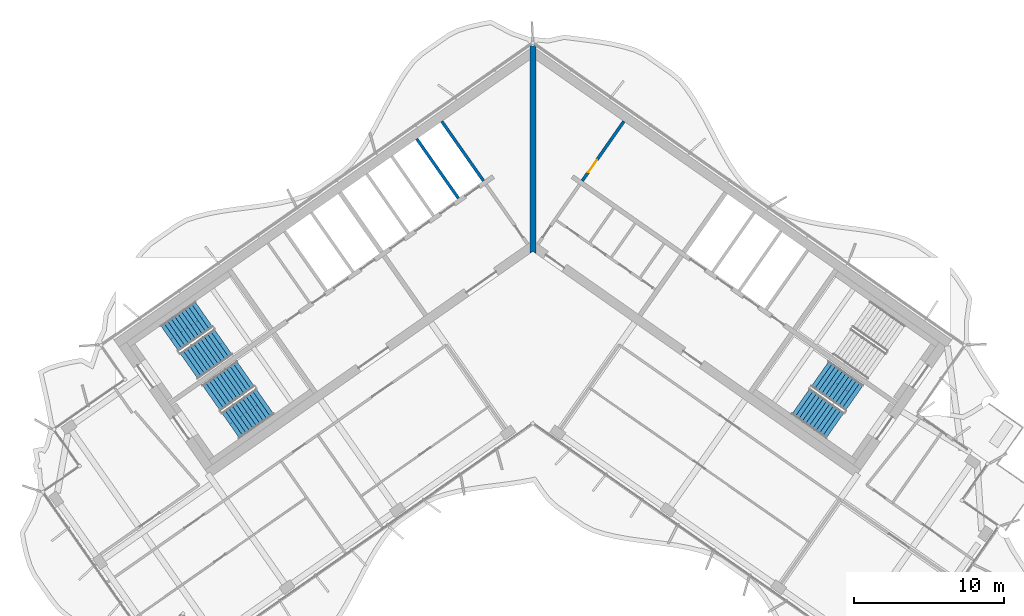
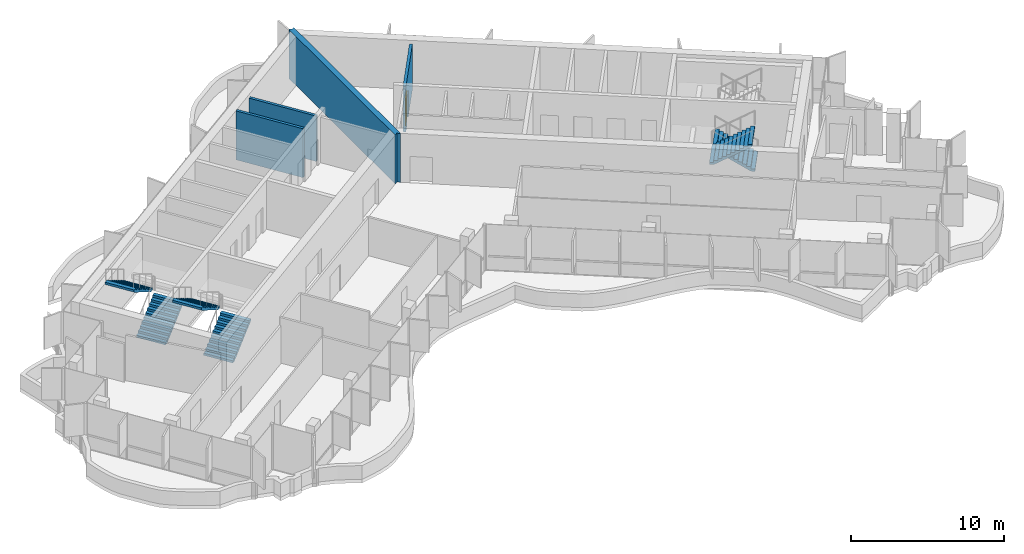
# One storey, part 13 of 20: 6 stair flights, 4 walls, 1 door, 1 opening, 3 elements without a shape of their own.
"""IFC4 building model written with IfcOpenShell, lengths in metres."""

from ifc_helpers import new_model, si_unit, direction, frame, frame_2d, origin, place, context, subcontext, project, spatial, polyline, rectangle, outline, extrude, material, layer, layer_set, type_object, element, fill, aggregate, save


model = new_model("IFC4")

# Units and contexts
model_context = context("Model", 3, precision=1e-05, world=origin(), true_north=direction((0.0, 1.0)))
body_context = subcontext(model_context, "Body", "Model", "MODEL_VIEW")
ifc_project = project(units=[si_unit("LENGTHUNIT", "METRE"), si_unit("AREAUNIT", "SQUARE_METRE"), si_unit("VOLUMEUNIT", "CUBIC_METRE"), si_unit("PLANEANGLEUNIT", "RADIAN"), si_unit("MASSUNIT", "GRAM", prefix="KILO")], contexts=[model_context])

# Site, building, storey
site_placement = place(None, origin())
site = spatial("IfcSite", under=ifc_project, at=site_placement, CompositionType="ELEMENT")
building_placement = place(site_placement, origin())
building = spatial("IfcBuilding", under=site, at=building_placement, Name="Tel Ilan Convention Tower", CompositionType="ELEMENT")
storey_placement = place(building_placement, frame((0.0, 0.0, 248.800048828125)))
storey = spatial("IfcBuildingStorey", under=building, at=storey_placement, Name="L58", CompositionType="ELEMENT", Elevation=248.800048828125)

# Wall
ifc_material_1 = material(Name="Concrete C30/37", Category="concrete")
ifc_layer_1 = layer(ifc_material_1, 0.199951171875)
ifc_layer_set_1 = layer_set([ifc_layer_1], Name="Core Service Room Wall 200 mm C30/37")
wall_type_1 = type_object("IfcWallType", Name="Core Service Room Wall 200 mm C30/37", PredefinedType="SOLIDWALL", material=ifc_layer_set_1)
wall_1_placement = place(storey_placement, frame((-3.2978515625, 3.489501953125, 0.0), z_axis=(0.0, 0.0, 1.0), x_axis=(-0.573560315113, 0.819163332265, 0.0)))
element("IfcWall", 1, at=wall_1_placement, inside=storey, type_object=wall_type_1, Name="L58 core wall apex-W-b", PredefinedType="SOLIDWALL", context=body_context, shape_type="SweptSolid", body=[
    extrude(rectangle(XDim=4.849853515625, YDim=0.199951171875, at=frame_2d((2.4248046875, 0.0))), origin(), (0.0, 0.0, 1.0), 3.619873046875),
])

# Wall, opening, door
wall_2_placement = place(storey_placement, frame((3.2978515625, 3.489501953125, 0.0), z_axis=(0.0, 0.0, 1.0), x_axis=(0.573560315113, 0.819163332265, 0.0)))
wall_2 = element("IfcWall", 2, at=wall_2_placement, inside=storey, type_object=wall_type_1, Name="L58 core wall apex-E-b", PredefinedType="SOLIDWALL", context=body_context, shape_type="SweptSolid", body=[
    extrude(rectangle(XDim=4.849853515625, YDim=0.199951171875, at=frame_2d((2.4248046875, 0.0))), origin(), (0.0, 0.0, 1.0), 3.619873046875),
])
opening_placement = place(wall_2_placement, frame((0.699951171875, 0.0, 0.0)))
opening = element("IfcOpeningElement", 3, at=opening_placement, cuts=wall_2, Name="Opening CD4503", PredefinedType="OPENING", context=body_context, shape_type="SweptSolid", body=[
    extrude(rectangle(XDim=1.0, YDim=2.10009765625, at=frame_2d((0.5, 1.050048828125))), frame((0.0, 0.10986328125, 0.0), z_axis=(0.0, -1.0, 0.0), x_axis=(1.0, 0.0, 0.0)), (0.0, 0.0, 1.0), 0.219970703125),
])
ifc_material_2 = material(Name="Galvanised Steel Door Leaf", Category="steel")
door_type = type_object("IfcDoorType", Name="Service Room Door 1000 x 2100 FD60", OperationType="NOTDEFINED", PredefinedType="DOOR", material=ifc_material_2)
door_placement = place(opening_placement, origin())
door = element("IfcDoor", 4, at=door_placement, inside=storey, type_object=door_type, Name="Plant Room door", OperationType="SINGLE_SWING_RIGHT", OverallHeight=2.10009765625, OverallWidth=1.0, PredefinedType="DOOR", context=body_context, shape_type="SweptSolid", body=[
    extrude(rectangle(XDim=1.0, YDim=2.10009765625, at=frame_2d((0.5, 1.050048828125))), frame((0.0, 0.02490234375, 0.0), z_axis=(0.0, -1.0, 0.0), x_axis=(1.0, 0.0, 0.0)), (0.0, 0.0, 1.0), 0.050048828125),
])
fill(opening, door)

# Walls
ifc_material_3 = material(Name="Concrete C40/50", Category="concrete")
ifc_layer_2 = layer(ifc_material_3, 0.39990234375)
ifc_layer_set_2 = layer_set([ifc_layer_2], Name="Core Shear Wall 400 mm C40/50")
wall_type_2 = type_object("IfcWallType", Name="Core Shear Wall 400 mm C40/50", PredefinedType="SHEAR", material=ifc_layer_set_2)
wall_3_placement = place(storey_placement, frame((0.0, -1.36083984375, 0.0), z_axis=(0.0, 0.0, 1.0), x_axis=(0.0, 1.0, 0.0)))
element("IfcWall", 5, at=wall_3_placement, inside=storey, type_object=wall_type_2, Name="L58 core wall K-central", PredefinedType="SHEAR", context=body_context, shape_type="SweptSolid", body=[
    extrude(outline(polyline([(0.14013671875, 0.199951171875), (0.0, 0.199951171875), (0.14013671875, 0.0), (0.0, -0.199951171875), (0.14013671875, -0.199951171875), (1.012451171875, -0.199951171875), (12.940185546875, -0.199951171875), (13.812744140625, -0.199951171875), (13.893310546875, -0.199951171875), (13.933349609375, -0.172119140625), (13.812744140625, 0.0), (13.933349609375, 0.172119140625), (13.893310546875, 0.199951171875), (13.812744140625, 0.199951171875), (12.940185546875, 0.199951171875), (1.012451171875, 0.199951171875), (0.14013671875, 0.199951171875)])), origin(), (0.0, 0.0, 1.0), 3.89990234375),
])
ifc_material_4 = material(Name="Concrete C30/37", Category="concrete")
ifc_layer_3 = layer(ifc_material_4, 0.199951171875)
ifc_layer_set_3 = layer_set([ifc_layer_3], Name="Lift Shaft Wall 200 mm C30/37")
wall_type_3 = type_object("IfcWallType", Name="Lift Shaft Wall 200 mm C30/37", PredefinedType="SOLIDWALL", material=ifc_layer_set_3)
wall_4_placement = place(storey_placement, frame((-4.966796875, 2.32080078125, 0.0), z_axis=(0.0, 0.0, 1.0), x_axis=(-0.573594092424, 0.81913968109, 0.0)))
element("IfcWall", 6, at=wall_4_placement, inside=storey, type_object=wall_type_3, Name="L58 core wall bank-W1-p0", PredefinedType="SOLIDWALL", context=body_context, shape_type="SweptSolid", body=[
    extrude(rectangle(XDim=4.85009765625, YDim=0.199951171875, at=frame_2d((2.425048828125, 0.0))), origin(), (0.0, 0.0, 1.0), 3.89990234375),
])

# Stair, stair flights
ifc_material_5 = material(Name="Concrete C40/50", Category="concrete")
stair_type = type_object("IfcStairType", Name="Pressurised Exit Stair 22 risers 177 mm", PredefinedType="HALF_TURN_STAIR", material=ifc_material_5)
stair_1_placement = place(storey_placement, origin())
stair_1 = element("IfcStair", 7, at=stair_1_placement, inside=storey, type_object=stair_type, Name="L58 Pressurised Stair S1", PredefinedType="HALF_TURN_STAIR")
ifc_material_6 = material(Name="Precast Concrete C40/50", Category="concrete")
stair_flight_type = type_object("IfcStairFlightType", Name="Concrete Stair Flight 2100 mm 22 risers 177 mm", PredefinedType="STRAIGHT", material=ifc_material_6)
stair_flight_1_placement = place(storey_placement, frame((-22.9619140625, -8.87548828125, 0.0), z_axis=(0.0, 0.0, 1.0), x_axis=(0.819152044289, 0.573576436351, 0.0)))
stair_flight_1 = element("IfcStairFlight", 8, at=stair_flight_1_placement, type_object=stair_flight_type, Name="S1 flight 1", NumberOfRisers=11, NumberOfTreads=10, PredefinedType="STRAIGHT", RiserHeight=0.177272727, TreadLength=0.28, context=body_context, shape_type="SweptSolid", body=[
    extrude(outline(polyline([(0.0, 0.0), (0.0, 0.17724609375), (0.280029296875, 0.17724609375), (0.280029296875, 0.3544921875), (0.56005859375, 0.3544921875), (0.56005859375, 0.53173828125), (0.840087890625, 0.53173828125), (0.840087890625, 0.708984375), (1.1201171875, 0.708984375), (1.1201171875, 0.886474609375), (1.39990234375, 0.886474609375), (1.39990234375, 1.063720703125), (1.679931640625, 1.063720703125), (1.679931640625, 1.240966796875), (1.9599609375, 1.240966796875), (1.9599609375, 1.418212890625), (2.239990234375, 1.418212890625), (2.239990234375, 1.595458984375), (2.52001953125, 1.595458984375), (2.52001953125, 1.772705078125), (2.800048828125, 1.772705078125), (2.800048828125, 1.949951171875), (2.800048828125, 1.59521484375), (0.2802734375, 0.0), (0.0, 0.0)])), frame((0.0, -0.100341796875, 0.0), z_axis=(0.0, -1.0, 0.0), x_axis=(1.0, 0.0, 0.0)), (0.0, 0.0, 1.0), 0.94970703125),
    extrude(outline(polyline([(0.0, 0.0), (0.0, 0.17724609375), (0.280029296875, 0.17724609375), (0.280029296875, 0.3544921875), (0.56005859375, 0.3544921875), (0.56005859375, 0.53173828125), (0.840087890625, 0.53173828125), (0.840087890625, 0.708984375), (1.1201171875, 0.708984375), (1.1201171875, 0.886474609375), (1.39990234375, 0.886474609375), (1.39990234375, 1.063720703125), (1.679931640625, 1.063720703125), (1.679931640625, 1.240966796875), (1.9599609375, 1.240966796875), (1.9599609375, 1.418212890625), (2.239990234375, 1.418212890625), (2.239990234375, 1.595458984375), (2.52001953125, 1.595458984375), (2.52001953125, 1.772705078125), (2.800048828125, 1.772705078125), (2.800048828125, 1.949951171875), (2.800048828125, 1.59521484375), (0.2802734375, 0.0), (0.0, 0.0)])), frame((0.0, -0.000244140625, 0.0), z_axis=(0.0, -1.0, 0.0), x_axis=(1.0, 0.0, 0.0)), (0.0, 0.0, 1.0), 0.099609375),
    extrude(outline(polyline([(0.0, 0.0), (0.0, 0.17724609375), (0.280029296875, 0.17724609375), (0.280029296875, 0.3544921875), (0.56005859375, 0.3544921875), (0.56005859375, 0.53173828125), (0.840087890625, 0.53173828125), (0.840087890625, 0.708984375), (1.1201171875, 0.708984375), (1.1201171875, 0.886474609375), (1.39990234375, 0.886474609375), (1.39990234375, 1.063720703125), (1.679931640625, 1.063720703125), (1.679931640625, 1.240966796875), (1.9599609375, 1.240966796875), (1.9599609375, 1.418212890625), (2.239990234375, 1.418212890625), (2.239990234375, 1.595458984375), (2.52001953125, 1.595458984375), (2.52001953125, 1.772705078125), (2.800048828125, 1.772705078125), (2.800048828125, 1.949951171875), (2.800048828125, 1.59521484375), (0.2802734375, 0.0), (0.0, 0.0)])), frame((0.0, 0.099853515625, 0.0), z_axis=(0.0, -1.0, 0.0), x_axis=(1.0, 0.0, 0.0)), (0.0, 0.0, 1.0), 0.099609375),
    extrude(outline(polyline([(0.0, 0.0), (0.0, 0.17724609375), (0.280029296875, 0.17724609375), (0.280029296875, 0.3544921875), (0.56005859375, 0.3544921875), (0.56005859375, 0.53173828125), (0.840087890625, 0.53173828125), (0.840087890625, 0.708984375), (1.1201171875, 0.708984375), (1.1201171875, 0.886474609375), (1.39990234375, 0.886474609375), (1.39990234375, 1.063720703125), (1.679931640625, 1.063720703125), (1.679931640625, 1.240966796875), (1.9599609375, 1.240966796875), (1.9599609375, 1.418212890625), (2.239990234375, 1.418212890625), (2.239990234375, 1.595458984375), (2.52001953125, 1.595458984375), (2.52001953125, 1.772705078125), (2.800048828125, 1.772705078125), (2.800048828125, 1.949951171875), (2.800048828125, 1.59521484375), (0.2802734375, 0.0), (0.0, 0.0)])), frame((0.0, 1.050048828125, 0.0), z_axis=(0.0, -1.0, 0.0), x_axis=(1.0, 0.0, 0.0)), (0.0, 0.0, 1.0), 0.94970703125),
])
stair_flight_2_placement = place(storey_placement, frame((-21.958740234375, -5.42626953125, 1.949951171875), z_axis=(0.0, 0.0, 1.0), x_axis=(-0.819152044289, -0.573576436351, 0.0)))
stair_flight_2 = element("IfcStairFlight", 9, at=stair_flight_2_placement, type_object=stair_flight_type, Name="S1 flight 2", NumberOfRisers=11, NumberOfTreads=10, PredefinedType="STRAIGHT", RiserHeight=0.177272727, TreadLength=0.28, context=body_context, shape_type="SweptSolid", body=[
    extrude(outline(polyline([(0.0, 0.0), (0.0, 0.17724609375), (0.280029296875, 0.17724609375), (0.280029296875, 0.3544921875), (0.56005859375, 0.3544921875), (0.56005859375, 0.53173828125), (0.840087890625, 0.53173828125), (0.840087890625, 0.708984375), (1.1201171875, 0.708984375), (1.1201171875, 0.886474609375), (1.39990234375, 0.886474609375), (1.39990234375, 1.063720703125), (1.679931640625, 1.063720703125), (1.679931640625, 1.240966796875), (1.9599609375, 1.240966796875), (1.9599609375, 1.418212890625), (2.239990234375, 1.418212890625), (2.239990234375, 1.595458984375), (2.52001953125, 1.595458984375), (2.52001953125, 1.772705078125), (2.800048828125, 1.772705078125), (2.800048828125, 1.949951171875), (2.800048828125, 1.59521484375), (0.2802734375, 0.0), (0.0, 0.0)])), frame((0.0, -0.100341796875, 0.0), z_axis=(0.0, -1.0, 0.0), x_axis=(1.0, 0.0, 0.0)), (0.0, 0.0, 1.0), 0.94970703125),
    extrude(outline(polyline([(0.0, 0.0), (0.0, 0.17724609375), (0.280029296875, 0.17724609375), (0.280029296875, 0.3544921875), (0.56005859375, 0.3544921875), (0.56005859375, 0.53173828125), (0.840087890625, 0.53173828125), (0.840087890625, 0.708984375), (1.1201171875, 0.708984375), (1.1201171875, 0.886474609375), (1.39990234375, 0.886474609375), (1.39990234375, 1.063720703125), (1.679931640625, 1.063720703125), (1.679931640625, 1.240966796875), (1.9599609375, 1.240966796875), (1.9599609375, 1.418212890625), (2.239990234375, 1.418212890625), (2.239990234375, 1.595458984375), (2.52001953125, 1.595458984375), (2.52001953125, 1.772705078125), (2.800048828125, 1.772705078125), (2.800048828125, 1.949951171875), (2.800048828125, 1.59521484375), (0.2802734375, 0.0), (0.0, 0.0)])), frame((0.0, -0.000244140625, 0.0), z_axis=(0.0, -1.0, 0.0), x_axis=(1.0, 0.0, 0.0)), (0.0, 0.0, 1.0), 0.099609375),
    extrude(outline(polyline([(0.0, 0.0), (0.0, 0.17724609375), (0.280029296875, 0.17724609375), (0.280029296875, 0.3544921875), (0.56005859375, 0.3544921875), (0.56005859375, 0.53173828125), (0.840087890625, 0.53173828125), (0.840087890625, 0.708984375), (1.1201171875, 0.708984375), (1.1201171875, 0.886474609375), (1.39990234375, 0.886474609375), (1.39990234375, 1.063720703125), (1.679931640625, 1.063720703125), (1.679931640625, 1.240966796875), (1.9599609375, 1.240966796875), (1.9599609375, 1.418212890625), (2.239990234375, 1.418212890625), (2.239990234375, 1.595458984375), (2.52001953125, 1.595458984375), (2.52001953125, 1.772705078125), (2.800048828125, 1.772705078125), (2.800048828125, 1.949951171875), (2.800048828125, 1.59521484375), (0.2802734375, 0.0), (0.0, 0.0)])), frame((0.0, 0.099853515625, 0.0), z_axis=(0.0, -1.0, 0.0), x_axis=(1.0, 0.0, 0.0)), (0.0, 0.0, 1.0), 0.099609375),
    extrude(outline(polyline([(0.0, 0.0), (0.0, 0.17724609375), (0.280029296875, 0.17724609375), (0.280029296875, 0.3544921875), (0.56005859375, 0.3544921875), (0.56005859375, 0.53173828125), (0.840087890625, 0.53173828125), (0.840087890625, 0.708984375), (1.1201171875, 0.708984375), (1.1201171875, 0.886474609375), (1.39990234375, 0.886474609375), (1.39990234375, 1.063720703125), (1.679931640625, 1.063720703125), (1.679931640625, 1.240966796875), (1.9599609375, 1.240966796875), (1.9599609375, 1.418212890625), (2.239990234375, 1.418212890625), (2.239990234375, 1.595458984375), (2.52001953125, 1.595458984375), (2.52001953125, 1.772705078125), (2.800048828125, 1.772705078125), (2.800048828125, 1.949951171875), (2.800048828125, 1.59521484375), (0.2802734375, 0.0), (0.0, 0.0)])), frame((0.0, 1.050048828125, 0.0), z_axis=(0.0, -1.0, 0.0), x_axis=(1.0, 0.0, 0.0)), (0.0, 0.0, 1.0), 0.94970703125),
])
aggregate(stair_1, [stair_flight_1, stair_flight_2])

stair_2_placement = place(storey_placement, origin())
stair_2 = element("IfcStair", 10, at=stair_2_placement, inside=storey, type_object=stair_type, Name="L58 Pressurised Stair S2", PredefinedType="HALF_TURN_STAIR")
stair_flight_3_placement = place(storey_placement, frame((-20.179931640625, -12.848388671875, 0.0), z_axis=(0.0, 0.0, 1.0), x_axis=(0.819152044289, 0.573576436351, 0.0)))
stair_flight_3 = element("IfcStairFlight", 11, at=stair_flight_3_placement, type_object=stair_flight_type, Name="S2 flight 1", NumberOfRisers=11, NumberOfTreads=10, PredefinedType="STRAIGHT", RiserHeight=0.177272727, TreadLength=0.28, context=body_context, shape_type="SweptSolid", body=[
    extrude(outline(polyline([(0.0, 0.0), (0.0, 0.17724609375), (0.280029296875, 0.17724609375), (0.280029296875, 0.3544921875), (0.56005859375, 0.3544921875), (0.56005859375, 0.53173828125), (0.840087890625, 0.53173828125), (0.840087890625, 0.708984375), (1.1201171875, 0.708984375), (1.1201171875, 0.886474609375), (1.39990234375, 0.886474609375), (1.39990234375, 1.063720703125), (1.679931640625, 1.063720703125), (1.679931640625, 1.240966796875), (1.9599609375, 1.240966796875), (1.9599609375, 1.418212890625), (2.239990234375, 1.418212890625), (2.239990234375, 1.595458984375), (2.52001953125, 1.595458984375), (2.52001953125, 1.772705078125), (2.800048828125, 1.772705078125), (2.800048828125, 1.949951171875), (2.800048828125, 1.59521484375), (0.2802734375, 0.0), (0.0, 0.0)])), frame((0.0, -0.100341796875, 0.0), z_axis=(0.0, -1.0, 0.0), x_axis=(1.0, 0.0, 0.0)), (0.0, 0.0, 1.0), 0.94970703125),
    extrude(outline(polyline([(0.0, 0.0), (0.0, 0.17724609375), (0.280029296875, 0.17724609375), (0.280029296875, 0.3544921875), (0.56005859375, 0.3544921875), (0.56005859375, 0.53173828125), (0.840087890625, 0.53173828125), (0.840087890625, 0.708984375), (1.1201171875, 0.708984375), (1.1201171875, 0.886474609375), (1.39990234375, 0.886474609375), (1.39990234375, 1.063720703125), (1.679931640625, 1.063720703125), (1.679931640625, 1.240966796875), (1.9599609375, 1.240966796875), (1.9599609375, 1.418212890625), (2.239990234375, 1.418212890625), (2.239990234375, 1.595458984375), (2.52001953125, 1.595458984375), (2.52001953125, 1.772705078125), (2.800048828125, 1.772705078125), (2.800048828125, 1.949951171875), (2.800048828125, 1.59521484375), (0.2802734375, 0.0), (0.0, 0.0)])), frame((0.0, -0.000244140625, 0.0), z_axis=(0.0, -1.0, 0.0), x_axis=(1.0, 0.0, 0.0)), (0.0, 0.0, 1.0), 0.099609375),
    extrude(outline(polyline([(0.0, 0.0), (0.0, 0.17724609375), (0.280029296875, 0.17724609375), (0.280029296875, 0.3544921875), (0.56005859375, 0.3544921875), (0.56005859375, 0.53173828125), (0.840087890625, 0.53173828125), (0.840087890625, 0.708984375), (1.1201171875, 0.708984375), (1.1201171875, 0.886474609375), (1.39990234375, 0.886474609375), (1.39990234375, 1.063720703125), (1.679931640625, 1.063720703125), (1.679931640625, 1.240966796875), (1.9599609375, 1.240966796875), (1.9599609375, 1.418212890625), (2.239990234375, 1.418212890625), (2.239990234375, 1.595458984375), (2.52001953125, 1.595458984375), (2.52001953125, 1.772705078125), (2.800048828125, 1.772705078125), (2.800048828125, 1.949951171875), (2.800048828125, 1.59521484375), (0.2802734375, 0.0), (0.0, 0.0)])), frame((0.0, 0.099853515625, 0.0), z_axis=(0.0, -1.0, 0.0), x_axis=(1.0, 0.0, 0.0)), (0.0, 0.0, 1.0), 0.099609375),
    extrude(outline(polyline([(0.0, 0.0), (0.0, 0.17724609375), (0.280029296875, 0.17724609375), (0.280029296875, 0.3544921875), (0.56005859375, 0.3544921875), (0.56005859375, 0.53173828125), (0.840087890625, 0.53173828125), (0.840087890625, 0.708984375), (1.1201171875, 0.708984375), (1.1201171875, 0.886474609375), (1.39990234375, 0.886474609375), (1.39990234375, 1.063720703125), (1.679931640625, 1.063720703125), (1.679931640625, 1.240966796875), (1.9599609375, 1.240966796875), (1.9599609375, 1.418212890625), (2.239990234375, 1.418212890625), (2.239990234375, 1.595458984375), (2.52001953125, 1.595458984375), (2.52001953125, 1.772705078125), (2.800048828125, 1.772705078125), (2.800048828125, 1.949951171875), (2.800048828125, 1.59521484375), (0.2802734375, 0.0), (0.0, 0.0)])), frame((0.0, 1.050048828125, 0.0), z_axis=(0.0, -1.0, 0.0), x_axis=(1.0, 0.0, 0.0)), (0.0, 0.0, 1.0), 0.94970703125),
])
stair_flight_4_placement = place(storey_placement, frame((-19.177001953125, -9.399169921875, 1.949951171875), z_axis=(0.0, 0.0, 1.0), x_axis=(-0.819152044289, -0.573576436351, 0.0)))
stair_flight_4 = element("IfcStairFlight", 12, at=stair_flight_4_placement, type_object=stair_flight_type, Name="S2 flight 2", NumberOfRisers=11, NumberOfTreads=10, PredefinedType="STRAIGHT", RiserHeight=0.177272727, TreadLength=0.28, context=body_context, shape_type="SweptSolid", body=[
    extrude(outline(polyline([(0.0, 0.0), (0.0, 0.17724609375), (0.280029296875, 0.17724609375), (0.280029296875, 0.3544921875), (0.56005859375, 0.3544921875), (0.56005859375, 0.53173828125), (0.840087890625, 0.53173828125), (0.840087890625, 0.708984375), (1.1201171875, 0.708984375), (1.1201171875, 0.886474609375), (1.39990234375, 0.886474609375), (1.39990234375, 1.063720703125), (1.679931640625, 1.063720703125), (1.679931640625, 1.240966796875), (1.9599609375, 1.240966796875), (1.9599609375, 1.418212890625), (2.239990234375, 1.418212890625), (2.239990234375, 1.595458984375), (2.52001953125, 1.595458984375), (2.52001953125, 1.772705078125), (2.800048828125, 1.772705078125), (2.800048828125, 1.949951171875), (2.800048828125, 1.59521484375), (0.2802734375, 0.0), (0.0, 0.0)])), frame((0.0, -0.100341796875, 0.0), z_axis=(0.0, -1.0, 0.0), x_axis=(1.0, 0.0, 0.0)), (0.0, 0.0, 1.0), 0.94970703125),
    extrude(outline(polyline([(0.0, 0.0), (0.0, 0.17724609375), (0.280029296875, 0.17724609375), (0.280029296875, 0.3544921875), (0.56005859375, 0.3544921875), (0.56005859375, 0.53173828125), (0.840087890625, 0.53173828125), (0.840087890625, 0.708984375), (1.1201171875, 0.708984375), (1.1201171875, 0.886474609375), (1.39990234375, 0.886474609375), (1.39990234375, 1.063720703125), (1.679931640625, 1.063720703125), (1.679931640625, 1.240966796875), (1.9599609375, 1.240966796875), (1.9599609375, 1.418212890625), (2.239990234375, 1.418212890625), (2.239990234375, 1.595458984375), (2.52001953125, 1.595458984375), (2.52001953125, 1.772705078125), (2.800048828125, 1.772705078125), (2.800048828125, 1.949951171875), (2.800048828125, 1.59521484375), (0.2802734375, 0.0), (0.0, 0.0)])), frame((0.0, -0.000244140625, 0.0), z_axis=(0.0, -1.0, 0.0), x_axis=(1.0, 0.0, 0.0)), (0.0, 0.0, 1.0), 0.099609375),
    extrude(outline(polyline([(0.0, 0.0), (0.0, 0.17724609375), (0.280029296875, 0.17724609375), (0.280029296875, 0.3544921875), (0.56005859375, 0.3544921875), (0.56005859375, 0.53173828125), (0.840087890625, 0.53173828125), (0.840087890625, 0.708984375), (1.1201171875, 0.708984375), (1.1201171875, 0.886474609375), (1.39990234375, 0.886474609375), (1.39990234375, 1.063720703125), (1.679931640625, 1.063720703125), (1.679931640625, 1.240966796875), (1.9599609375, 1.240966796875), (1.9599609375, 1.418212890625), (2.239990234375, 1.418212890625), (2.239990234375, 1.595458984375), (2.52001953125, 1.595458984375), (2.52001953125, 1.772705078125), (2.800048828125, 1.772705078125), (2.800048828125, 1.949951171875), (2.800048828125, 1.59521484375), (0.2802734375, 0.0), (0.0, 0.0)])), frame((0.0, 0.099853515625, 0.0), z_axis=(0.0, -1.0, 0.0), x_axis=(1.0, 0.0, 0.0)), (0.0, 0.0, 1.0), 0.099609375),
    extrude(outline(polyline([(0.0, 0.0), (0.0, 0.17724609375), (0.280029296875, 0.17724609375), (0.280029296875, 0.3544921875), (0.56005859375, 0.3544921875), (0.56005859375, 0.53173828125), (0.840087890625, 0.53173828125), (0.840087890625, 0.708984375), (1.1201171875, 0.708984375), (1.1201171875, 0.886474609375), (1.39990234375, 0.886474609375), (1.39990234375, 1.063720703125), (1.679931640625, 1.063720703125), (1.679931640625, 1.240966796875), (1.9599609375, 1.240966796875), (1.9599609375, 1.418212890625), (2.239990234375, 1.418212890625), (2.239990234375, 1.595458984375), (2.52001953125, 1.595458984375), (2.52001953125, 1.772705078125), (2.800048828125, 1.772705078125), (2.800048828125, 1.949951171875), (2.800048828125, 1.59521484375), (0.2802734375, 0.0), (0.0, 0.0)])), frame((0.0, 1.050048828125, 0.0), z_axis=(0.0, -1.0, 0.0), x_axis=(1.0, 0.0, 0.0)), (0.0, 0.0, 1.0), 0.94970703125),
])
aggregate(stair_2, [stair_flight_3, stair_flight_4])

stair_3_placement = place(storey_placement, origin())
stair_3 = element("IfcStair", 13, at=stair_3_placement, inside=storey, type_object=stair_type, Name="L58 Pressurised Stair S4", PredefinedType="HALF_TURN_STAIR")
stair_flight_5_placement = place(storey_placement, frame((21.470458984375, -11.00537109375, 0.0), z_axis=(0.0, 0.0, 1.0), x_axis=(-0.819152044289, 0.573576436351, 0.0)))
stair_flight_5 = element("IfcStairFlight", 14, at=stair_flight_5_placement, type_object=stair_flight_type, Name="S4 flight 1", NumberOfRisers=11, NumberOfTreads=10, PredefinedType="STRAIGHT", RiserHeight=0.177272727, TreadLength=0.28, context=body_context, shape_type="SweptSolid", body=[
    extrude(outline(polyline([(0.0, 0.0), (0.0, 0.17724609375), (0.280029296875, 0.17724609375), (0.280029296875, 0.3544921875), (0.56005859375, 0.3544921875), (0.56005859375, 0.53173828125), (0.840087890625, 0.53173828125), (0.840087890625, 0.708984375), (1.1201171875, 0.708984375), (1.1201171875, 0.886474609375), (1.39990234375, 0.886474609375), (1.39990234375, 1.063720703125), (1.679931640625, 1.063720703125), (1.679931640625, 1.240966796875), (1.9599609375, 1.240966796875), (1.9599609375, 1.418212890625), (2.239990234375, 1.418212890625), (2.239990234375, 1.595458984375), (2.52001953125, 1.595458984375), (2.52001953125, 1.772705078125), (2.800048828125, 1.772705078125), (2.800048828125, 1.949951171875), (2.800048828125, 1.59521484375), (0.2802734375, 0.0), (0.0, 0.0)])), frame((0.0, -0.100341796875, 0.0), z_axis=(0.0, -1.0, 0.0), x_axis=(1.0, 0.0, 0.0)), (0.0, 0.0, 1.0), 0.94970703125),
    extrude(outline(polyline([(0.0, 0.0), (0.0, 0.17724609375), (0.280029296875, 0.17724609375), (0.280029296875, 0.3544921875), (0.56005859375, 0.3544921875), (0.56005859375, 0.53173828125), (0.840087890625, 0.53173828125), (0.840087890625, 0.708984375), (1.1201171875, 0.708984375), (1.1201171875, 0.886474609375), (1.39990234375, 0.886474609375), (1.39990234375, 1.063720703125), (1.679931640625, 1.063720703125), (1.679931640625, 1.240966796875), (1.9599609375, 1.240966796875), (1.9599609375, 1.418212890625), (2.239990234375, 1.418212890625), (2.239990234375, 1.595458984375), (2.52001953125, 1.595458984375), (2.52001953125, 1.772705078125), (2.800048828125, 1.772705078125), (2.800048828125, 1.949951171875), (2.800048828125, 1.59521484375), (0.2802734375, 0.0), (0.0, 0.0)])), frame((0.0, -0.000244140625, 0.0), z_axis=(0.0, -1.0, 0.0), x_axis=(1.0, 0.0, 0.0)), (0.0, 0.0, 1.0), 0.099609375),
    extrude(outline(polyline([(0.0, 0.0), (0.0, 0.17724609375), (0.280029296875, 0.17724609375), (0.280029296875, 0.3544921875), (0.56005859375, 0.3544921875), (0.56005859375, 0.53173828125), (0.840087890625, 0.53173828125), (0.840087890625, 0.708984375), (1.1201171875, 0.708984375), (1.1201171875, 0.886474609375), (1.39990234375, 0.886474609375), (1.39990234375, 1.063720703125), (1.679931640625, 1.063720703125), (1.679931640625, 1.240966796875), (1.9599609375, 1.240966796875), (1.9599609375, 1.418212890625), (2.239990234375, 1.418212890625), (2.239990234375, 1.595458984375), (2.52001953125, 1.595458984375), (2.52001953125, 1.772705078125), (2.800048828125, 1.772705078125), (2.800048828125, 1.949951171875), (2.800048828125, 1.59521484375), (0.2802734375, 0.0), (0.0, 0.0)])), frame((0.0, 0.099853515625, 0.0), z_axis=(0.0, -1.0, 0.0), x_axis=(1.0, 0.0, 0.0)), (0.0, 0.0, 1.0), 0.099609375),
    extrude(outline(polyline([(0.0, 0.0), (0.0, 0.17724609375), (0.280029296875, 0.17724609375), (0.280029296875, 0.3544921875), (0.56005859375, 0.3544921875), (0.56005859375, 0.53173828125), (0.840087890625, 0.53173828125), (0.840087890625, 0.708984375), (1.1201171875, 0.708984375), (1.1201171875, 0.886474609375), (1.39990234375, 0.886474609375), (1.39990234375, 1.063720703125), (1.679931640625, 1.063720703125), (1.679931640625, 1.240966796875), (1.9599609375, 1.240966796875), (1.9599609375, 1.418212890625), (2.239990234375, 1.418212890625), (2.239990234375, 1.595458984375), (2.52001953125, 1.595458984375), (2.52001953125, 1.772705078125), (2.800048828125, 1.772705078125), (2.800048828125, 1.949951171875), (2.800048828125, 1.59521484375), (0.2802734375, 0.0), (0.0, 0.0)])), frame((0.0, 1.050048828125, 0.0), z_axis=(0.0, -1.0, 0.0), x_axis=(1.0, 0.0, 0.0)), (0.0, 0.0, 1.0), 0.94970703125),
])
stair_flight_6_placement = place(storey_placement, frame((17.886474609375, -11.242431640625, 1.949951171875), z_axis=(0.0, 0.0, 1.0), x_axis=(0.819152044289, -0.573576436351, 0.0)))
stair_flight_6 = element("IfcStairFlight", 15, at=stair_flight_6_placement, type_object=stair_flight_type, Name="S4 flight 2", NumberOfRisers=11, NumberOfTreads=10, PredefinedType="STRAIGHT", RiserHeight=0.177272727, TreadLength=0.28, context=body_context, shape_type="SweptSolid", body=[
    extrude(outline(polyline([(0.0, 0.0), (0.0, 0.17724609375), (0.280029296875, 0.17724609375), (0.280029296875, 0.3544921875), (0.56005859375, 0.3544921875), (0.56005859375, 0.53173828125), (0.840087890625, 0.53173828125), (0.840087890625, 0.708984375), (1.1201171875, 0.708984375), (1.1201171875, 0.886474609375), (1.39990234375, 0.886474609375), (1.39990234375, 1.063720703125), (1.679931640625, 1.063720703125), (1.679931640625, 1.240966796875), (1.9599609375, 1.240966796875), (1.9599609375, 1.418212890625), (2.239990234375, 1.418212890625), (2.239990234375, 1.595458984375), (2.52001953125, 1.595458984375), (2.52001953125, 1.772705078125), (2.800048828125, 1.772705078125), (2.800048828125, 1.949951171875), (2.800048828125, 1.59521484375), (0.2802734375, 0.0), (0.0, 0.0)])), frame((0.0, -0.100341796875, 0.0), z_axis=(0.0, -1.0, 0.0), x_axis=(1.0, 0.0, 0.0)), (0.0, 0.0, 1.0), 0.94970703125),
    extrude(outline(polyline([(0.0, 0.0), (0.0, 0.17724609375), (0.280029296875, 0.17724609375), (0.280029296875, 0.3544921875), (0.56005859375, 0.3544921875), (0.56005859375, 0.53173828125), (0.840087890625, 0.53173828125), (0.840087890625, 0.708984375), (1.1201171875, 0.708984375), (1.1201171875, 0.886474609375), (1.39990234375, 0.886474609375), (1.39990234375, 1.063720703125), (1.679931640625, 1.063720703125), (1.679931640625, 1.240966796875), (1.9599609375, 1.240966796875), (1.9599609375, 1.418212890625), (2.239990234375, 1.418212890625), (2.239990234375, 1.595458984375), (2.52001953125, 1.595458984375), (2.52001953125, 1.772705078125), (2.800048828125, 1.772705078125), (2.800048828125, 1.949951171875), (2.800048828125, 1.59521484375), (0.2802734375, 0.0), (0.0, 0.0)])), frame((0.0, -0.000244140625, 0.0), z_axis=(0.0, -1.0, 0.0), x_axis=(1.0, 0.0, 0.0)), (0.0, 0.0, 1.0), 0.099609375),
    extrude(outline(polyline([(0.0, 0.0), (0.0, 0.17724609375), (0.280029296875, 0.17724609375), (0.280029296875, 0.3544921875), (0.56005859375, 0.3544921875), (0.56005859375, 0.53173828125), (0.840087890625, 0.53173828125), (0.840087890625, 0.708984375), (1.1201171875, 0.708984375), (1.1201171875, 0.886474609375), (1.39990234375, 0.886474609375), (1.39990234375, 1.063720703125), (1.679931640625, 1.063720703125), (1.679931640625, 1.240966796875), (1.9599609375, 1.240966796875), (1.9599609375, 1.418212890625), (2.239990234375, 1.418212890625), (2.239990234375, 1.595458984375), (2.52001953125, 1.595458984375), (2.52001953125, 1.772705078125), (2.800048828125, 1.772705078125), (2.800048828125, 1.949951171875), (2.800048828125, 1.59521484375), (0.2802734375, 0.0), (0.0, 0.0)])), frame((0.0, 0.099853515625, 0.0), z_axis=(0.0, -1.0, 0.0), x_axis=(1.0, 0.0, 0.0)), (0.0, 0.0, 1.0), 0.099609375),
    extrude(outline(polyline([(0.0, 0.0), (0.0, 0.17724609375), (0.280029296875, 0.17724609375), (0.280029296875, 0.3544921875), (0.56005859375, 0.3544921875), (0.56005859375, 0.53173828125), (0.840087890625, 0.53173828125), (0.840087890625, 0.708984375), (1.1201171875, 0.708984375), (1.1201171875, 0.886474609375), (1.39990234375, 0.886474609375), (1.39990234375, 1.063720703125), (1.679931640625, 1.063720703125), (1.679931640625, 1.240966796875), (1.9599609375, 1.240966796875), (1.9599609375, 1.418212890625), (2.239990234375, 1.418212890625), (2.239990234375, 1.595458984375), (2.52001953125, 1.595458984375), (2.52001953125, 1.772705078125), (2.800048828125, 1.772705078125), (2.800048828125, 1.949951171875), (2.800048828125, 1.59521484375), (0.2802734375, 0.0), (0.0, 0.0)])), frame((0.0, 1.050048828125, 0.0), z_axis=(0.0, -1.0, 0.0), x_axis=(1.0, 0.0, 0.0)), (0.0, 0.0, 1.0), 0.94970703125),
])
aggregate(stair_3, [stair_flight_5, stair_flight_6])

save(model, "model.ifc")
